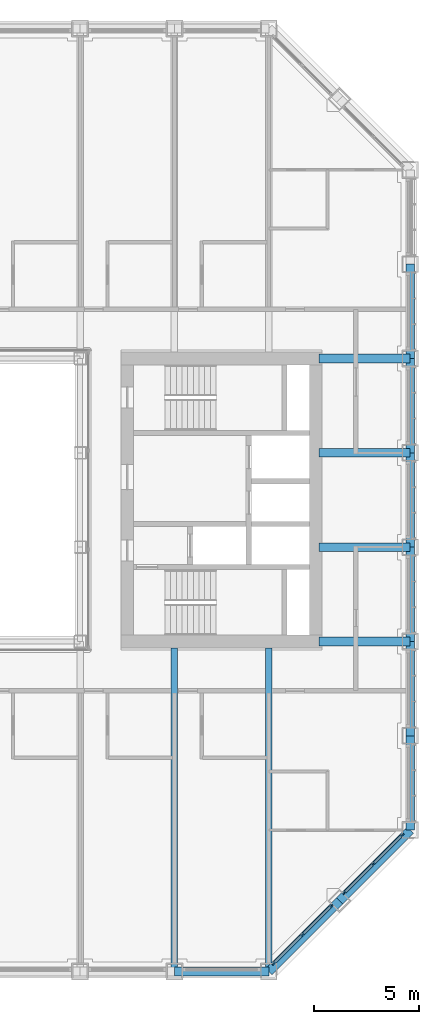
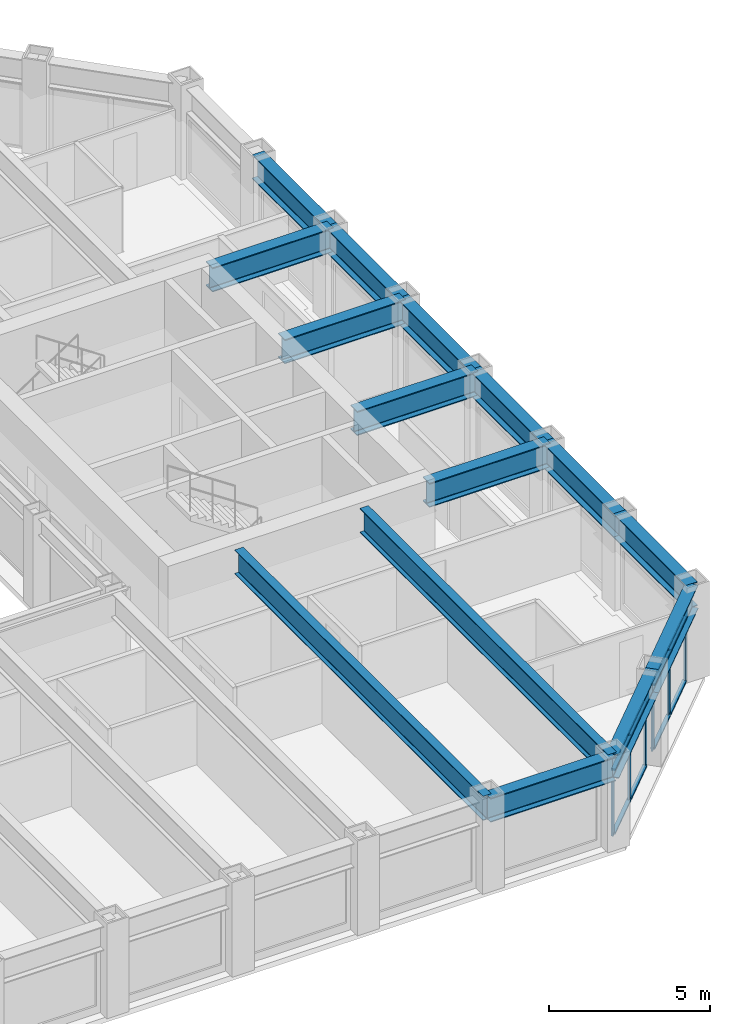
# One storey, part 6 of 18: 15 beams, 14 members, 2 elements without a shape of their own.
"""IFC4 building model written with IfcOpenShell, lengths in metres."""

import ifcopenshell
import ifcopenshell.guid

model = None  # the IFC model being written
_history = None  # IfcOwnerHistory: only IFC2X3 demands one
_inside = {}  # id of a spatial element -> (the spatial element, [elements in it])
_under = {}  # id of a project, library or spatial element -> (it, [spatial elements below it])
_declared = {}  # id of a project -> (the project, [libraries it declares])
_typed = {}  # id of a type object -> (the type object, [elements of that type])
_made_of = {}  # id of a material, layer set ... -> (it, [elements and type objects made of it])


def new_model(schema):
    """Start an empty IFC model of exactly this schema.

    Asked for "IFC4X3", IfcOpenShell would pick the latest addendum, in which some entities
    have other attributes; the version numbers below select the first issue.
    IFC2X3 requires an IfcOwnerHistory on every rooted entity: one is made here for all.
    """
    global model, _history
    if schema == "IFC4X3":
        model = ifcopenshell.file(schema_version=(4, 3, 0, 0))
    else:
        model = ifcopenshell.file(schema=schema)
    _inside.clear()
    _under.clear()
    _declared.clear()
    _typed.clear()
    _made_of.clear()
    _history = None
    if model.schema == "IFC2X3":
        org = make("IfcOrganization", Name="unknown")
        user = make(
            "IfcPersonAndOrganization",
            ThePerson=make("IfcPerson", FamilyName="unknown"),
            TheOrganization=org,
        )
        app = make(
            "IfcApplication",
            ApplicationDeveloper=org,
            Version="unknown",
            ApplicationFullName="unknown",
            ApplicationIdentifier="unknown",
        )
        _history = make(
            "IfcOwnerHistory",
            OwningUser=user,
            OwningApplication=app,
            ChangeAction="ADDED",
            CreationDate=0,
        )
    return model


def make(cls, **values):
    """One entity of the class cls with the attributes given. An attribute that is None is left unset."""
    return model.create_entity(
        cls, **{name: value for name, value in values.items() if value is not None}
    )


def rooted(cls, **values):
    """An entity with a GlobalId (a new one), such as an element, a storey or a relation."""
    return make(cls, GlobalId=ifcopenshell.guid.new(), OwnerHistory=_history, **values)


def si_unit(unit_type, name, prefix=None):
    """IfcSIUnit, for example si_unit("LENGTHUNIT", "METRE", prefix="MILLI")."""
    return make("IfcSIUnit", UnitType=unit_type, Prefix=prefix, Name=name)


def assignment(units):
    """IfcUnitAssignment: the units of a project."""
    return None if units is None else make("IfcUnitAssignment", Units=units)


def point(xyz):
    """IfcCartesianPoint."""
    return None if xyz is None else make("IfcCartesianPoint", Coordinates=xyz)


def direction(xyz):
    """IfcDirection."""
    return None if xyz is None else make("IfcDirection", DirectionRatios=xyz)


def frame(location, z_axis=None, x_axis=None):
    """IfcAxis2Placement3D, a coordinate frame: its origin and axes. An axis left out is left unset."""
    return make(
        "IfcAxis2Placement3D",
        Location=point(location),
        Axis=direction(z_axis),
        RefDirection=direction(x_axis),
    )


def frame_2d(location, x_axis=None):
    """IfcAxis2Placement2D, a coordinate frame in the plane: its origin and x axis."""
    return make(
        "IfcAxis2Placement2D", Location=point(location), RefDirection=direction(x_axis)
    )


def origin():
    """The frame at (0, 0, 0) with its axes left unset."""
    return frame((0.0, 0.0, 0.0))


def origin_2d():
    """The frame at (0, 0) in the plane with its x axis left unset."""
    return frame_2d((0.0, 0.0))


def place(relative_to, where):
    """IfcLocalPlacement: puts the frame where relative to a parent placement (None: the world)."""
    return make(
        "IfcLocalPlacement", PlacementRelTo=relative_to, RelativePlacement=where
    )


def context(
    kind, dimensions, precision=None, world=None, true_north=None, identifier=None
):
    """IfcGeometricRepresentationContext, for example the 3D "Model" context."""
    return make(
        "IfcGeometricRepresentationContext",
        ContextIdentifier=identifier,
        ContextType=kind,
        CoordinateSpaceDimension=dimensions,
        Precision=precision,
        WorldCoordinateSystem=world,
        TrueNorth=true_north,
    )


def subcontext(parent, identifier, kind, view, scale=None):
    """IfcGeometricRepresentationSubContext, for example "Body" below "Model"."""
    return make(
        "IfcGeometricRepresentationSubContext",
        ContextIdentifier=identifier,
        ContextType=kind,
        ParentContext=parent,
        TargetScale=scale,
        TargetView=view,
    )


def project(units=None, contexts=None):
    """IfcProject with its units and contexts."""
    return rooted(
        "IfcProject",
        Name="project",
        RepresentationContexts=contexts,
        UnitsInContext=assignment(units),
    )


def spatial(cls, under=None, at=None, **own):
    """A site, building, storey or space (cls), placed at a placement, below another one or the project."""
    s = rooted(cls, ObjectPlacement=at, **own)
    if under is not None:
        _under.setdefault(under.id(), (under, []))[1].append(s)
    return s


def profile(cls, at=None, kind="AREA", **sizes):
    """A parametric profile (cls). Its sizes go by their IFC names, for example OverallWidth=200.0."""
    return make(cls, ProfileType=kind, Position=at, **sizes)


def rectangle(**sizes):
    """IfcRectangleProfileDef."""
    return profile("IfcRectangleProfileDef", **sizes)


def i_section(**sizes):
    """IfcIShapeProfileDef."""
    return profile("IfcIShapeProfileDef", **sizes)


def extrude(swept, where, along, depth):
    """IfcExtrudedAreaSolid: the profile swept, set in the frame where, extruded along a direction by depth."""
    return make(
        "IfcExtrudedAreaSolid",
        SweptArea=swept,
        Position=where,
        ExtrudedDirection=direction(along),
        Depth=depth,
    )


def shape(context_of_items, identifier, shape_type, items):
    """IfcShapeRepresentation: the items that make up one representation, for example the "Body"."""
    return make(
        "IfcShapeRepresentation",
        ContextOfItems=context_of_items,
        RepresentationIdentifier=identifier,
        RepresentationType=shape_type,
        Items=items,
    )


def material(Name=None, Category=None):
    """IfcMaterial."""
    return make("IfcMaterial", Name=Name, Category=Category)


def material_profile(
    of_material, cross_section, Name=None, Category=None, Priority=None
):
    """IfcMaterialProfile: a cross section and its material."""
    return make(
        "IfcMaterialProfile",
        Name=Name,
        Material=of_material,
        Profile=cross_section,
        Priority=Priority,
        Category=Category,
    )


def profile_set(profiles, Name=None, composite=None):
    """IfcMaterialProfileSet."""
    return make(
        "IfcMaterialProfileSet",
        Name=Name,
        MaterialProfiles=profiles,
        CompositeProfile=composite,
    )


def made_of(thing, what):
    """Note that an element or type object is made of a material, layer set ...; save() writes the relation."""
    if what is not None:
        _made_of.setdefault(what.id(), (what, []))[1].append(thing)
    return thing


def type_object(cls, material=None, **own):
    """A type object (cls), such as IfcWallType, which elements share."""
    return made_of(rooted(cls, **own), material)


def element(
    cls,
    number,
    at=None,
    inside=None,
    cuts=None,
    type_object=None,
    material=None,
    context=None,
    identifier="Body",
    shape_type=None,
    held_by="IfcProductDefinitionShape",
    body=None,
    shapes=None,
    **own,
):
    """One element of the class cls, such as IfcWall. Its Tag is "e" and its number.

    at: its placement. inside: the storey or other place that contains it. cuts: it is an
    opening in that element (IfcRelVoidsElement). A single representation is given by context,
    identifier, shape_type and body (its items); several are given by shapes. held_by: the class
    of the entity that holds the representations. save() writes the other relations.
    """
    e = rooted(cls, Tag="e%d" % number, ObjectPlacement=at, **own)
    if body is not None:
        shapes = [shape(context, identifier, shape_type, body)]
    if shapes is not None:
        e.Representation = make(held_by, Representations=shapes)
    if inside is not None:
        _inside.setdefault(inside.id(), (inside, []))[1].append(e)
    if cuts is not None:
        rooted(
            "IfcRelVoidsElement", RelatingBuildingElement=cuts, RelatedOpeningElement=e
        )
    if type_object is not None:
        _typed.setdefault(type_object.id(), (type_object, []))[1].append(e)
    return made_of(e, material)


def aggregate(whole, parts):
    """IfcRelAggregates: a whole, such as a stair, and the parts it consists of."""
    return rooted("IfcRelAggregates", RelatingObject=whole, RelatedObjects=parts)


def save(model, path):
    """Write the relations noted so far, then the file.

    IfcRelAggregates (storeys below a building ...), IfcRelContainedInSpatialStructure (elements
    in a storey), IfcRelDefinesByType, IfcRelAssociatesMaterial and IfcRelDeclares: one each for
    every whole, place, type object, material and project.
    """
    for whole, parts in _under.values():
        aggregate(whole, parts)
    for where, things in _inside.values():
        rooted(
            "IfcRelContainedInSpatialStructure",
            RelatedElements=things,
            RelatingStructure=where,
        )
    for kind, things in _typed.values():
        rooted("IfcRelDefinesByType", RelatedObjects=things, RelatingType=kind)
    for what, things in _made_of.values():
        rooted("IfcRelAssociatesMaterial", RelatedObjects=things, RelatingMaterial=what)
    for by, libraries in _declared.values():
        rooted("IfcRelDeclares", RelatingContext=by, RelatedDefinitions=libraries)
    model.write(path)


model = new_model("IFC4")

# Units and contexts
model_context = context("Model", 3, precision=1e-05, world=origin(), true_north=direction((0.0, 1.0)))
body_context = subcontext(model_context, "Body", "Model", "MODEL_VIEW")
ifc_project = project(units=[si_unit("LENGTHUNIT", "METRE"), si_unit("AREAUNIT", "SQUARE_METRE"), si_unit("VOLUMEUNIT", "CUBIC_METRE"), si_unit("PLANEANGLEUNIT", "RADIAN"), si_unit("MASSUNIT", "GRAM", prefix="KILO")], contexts=[model_context])

# Site, building, storey
site_placement = place(None, origin())
site = spatial("IfcSite", under=ifc_project, at=site_placement, CompositionType="ELEMENT")
building_placement = place(site_placement, origin())
building = spatial("IfcBuilding", under=site, at=building_placement, Name="Msasa Ring Tower", CompositionType="ELEMENT")
storey_placement = place(building_placement, frame((0.0, 0.0, 122.0)))
storey = spatial("IfcBuildingStorey", under=building, at=storey_placement, Name="L31", CompositionType="ELEMENT", Elevation=122.0)

# Curtain wall, members
ifc_material_1 = material(Name="Aluminium curtain wall with clear glass", Category="aluminium")
curtain_wall_type = type_object("IfcCurtainWallType", Name="CW-C CHAMFER CORNER CURTAIN WALL", PredefinedType="NOTDEFINED", material=ifc_material_1)
curtain_wall_1_placement = place(storey_placement, origin())
curtain_wall_1 = element("IfcCurtainWall", 1, at=curtain_wall_1_placement, inside=storey, type_object=curtain_wall_type, Name="Chamfer corner curtain wall SE L31", PredefinedType="NOTDEFINED")
ifc_material_2 = material(Name="Aluminium mullion", Category="aluminium")
ifc_material_profile_1 = material_profile(ifc_material_2, rectangle(XDim=0.06494140625, YDim=0.179931640625, at=origin_2d()), Name="AL 65x180")
ifc_profile_set_1 = profile_set([ifc_material_profile_1], Name="Aluminium mullion")
member_type_1 = type_object("IfcMemberType", Name="CW-C MULLION 65x180", PredefinedType="MULLION", material=ifc_profile_set_1)
member_1_placement = place(storey_placement, frame((15.98876953125, -22.119873046875, 0.0), z_axis=(0.0, 0.0, 1.0), x_axis=(-0.707106781187, 0.707106781187, 0.0)))
member_1 = element("IfcMember", 2, at=member_1_placement, type_object=member_type_1, Name="CW-C mullion 1", PredefinedType="MULLION", context=body_context, shape_type="SweptSolid", body=[
    extrude(rectangle(XDim=0.06494140625, YDim=0.179931640625, at=origin_2d()), origin(), (0.0, 0.0, 1.0), 2.47900390625),
])
member_2_placement = place(storey_placement, frame((17.36669921875, -20.74169921875, 0.0), z_axis=(0.0, 0.0, 1.0), x_axis=(-0.707106781187, 0.707106781187, 0.0)))
member_2 = element("IfcMember", 3, at=member_2_placement, type_object=member_type_1, Name="CW-C mullion 2", PredefinedType="MULLION", context=body_context, shape_type="SweptSolid", body=[
    extrude(rectangle(XDim=0.06494140625, YDim=0.179931640625, at=origin_2d()), origin(), (0.0, 0.0, 1.0), 2.47900390625),
])
member_3_placement = place(storey_placement, frame((18.744873046875, -19.36376953125, 0.0), z_axis=(0.0, 0.0, 1.0), x_axis=(-0.707106781187, 0.707106781187, 0.0)))
member_3 = element("IfcMember", 4, at=member_3_placement, type_object=member_type_1, Name="CW-C mullion 3", PredefinedType="MULLION", context=body_context, shape_type="SweptSolid", body=[
    extrude(rectangle(XDim=0.06494140625, YDim=0.179931640625, at=origin_2d()), origin(), (0.0, 0.0, 1.0), 2.47900390625),
])

curtain_wall_2_placement = place(storey_placement, origin())
curtain_wall_2 = element("IfcCurtainWall", 5, at=curtain_wall_2_placement, inside=storey, type_object=curtain_wall_type, Name="Chamfer corner curtain wall SE L31", PredefinedType="NOTDEFINED")
member_4_placement = place(storey_placement, frame((19.36376953125, -18.744873046875, 0.0), z_axis=(0.0, 0.0, 1.0), x_axis=(-0.707106781187, 0.707106781187, 0.0)))
member_4 = element("IfcMember", 6, at=member_4_placement, type_object=member_type_1, Name="CW-C mullion 1", PredefinedType="MULLION", context=body_context, shape_type="SweptSolid", body=[
    extrude(rectangle(XDim=0.06494140625, YDim=0.179931640625, at=origin_2d()), origin(), (0.0, 0.0, 1.0), 2.47900390625),
])
member_5_placement = place(storey_placement, frame((20.74169921875, -17.36669921875, 0.0), z_axis=(0.0, 0.0, 1.0), x_axis=(-0.707106781187, 0.707106781187, 0.0)))
member_5 = element("IfcMember", 7, at=member_5_placement, type_object=member_type_1, Name="CW-C mullion 2", PredefinedType="MULLION", context=body_context, shape_type="SweptSolid", body=[
    extrude(rectangle(XDim=0.06494140625, YDim=0.179931640625, at=origin_2d()), origin(), (0.0, 0.0, 1.0), 2.47900390625),
])
member_6_placement = place(storey_placement, frame((22.119873046875, -15.98876953125, 0.0), z_axis=(0.0, 0.0, 1.0), x_axis=(-0.707106781187, 0.707106781187, 0.0)))
member_6 = element("IfcMember", 8, at=member_6_placement, type_object=member_type_1, Name="CW-C mullion 3", PredefinedType="MULLION", context=body_context, shape_type="SweptSolid", body=[
    extrude(rectangle(XDim=0.06494140625, YDim=0.179931640625, at=origin_2d()), origin(), (0.0, 0.0, 1.0), 2.47900390625),
])

# Member
ifc_material_3 = material(Name="Aluminium transom", Category="aluminium")
ifc_material_profile_2 = material_profile(ifc_material_3, rectangle(XDim=0.139892578125, YDim=0.06494140625, at=origin_2d()), Name="AL 65x140")
ifc_profile_set_2 = profile_set([ifc_material_profile_2], Name="Aluminium transom")
member_type_2 = type_object("IfcMemberType", Name="CW-C TRANSOM 65x140", PredefinedType="USERDEFINED", material=ifc_profile_set_2)
member_7_placement = place(storey_placement, frame((16.01171875, -22.096923828125, 0.032470703125), z_axis=(0.707106781187, 0.707106781187, 0.0), x_axis=(-0.707106781187, 0.707106781187, 0.0)))
member_7 = element("IfcMember", 9, at=member_7_placement, type_object=member_type_2, Name="CW-C transom 1.1", ObjectType="TRANSOM", PredefinedType="USERDEFINED", context=body_context, shape_type="SweptSolid", body=[
    extrude(rectangle(XDim=0.139892578125, YDim=0.06494140625, at=origin_2d()), origin(), (0.0, 0.0, 1.0), 1.8837890625),
])

member_8_placement = place(storey_placement, frame((16.01171875, -22.096923828125, 2.446533203125), z_axis=(0.707106781187, 0.707106781187, 0.0), x_axis=(-0.707106781187, 0.707106781187, 0.0)))
member_8 = element("IfcMember", 10, at=member_8_placement, type_object=member_type_2, Name="CW-C transom 1.2", ObjectType="TRANSOM", PredefinedType="USERDEFINED", context=body_context, shape_type="SweptSolid", body=[
    extrude(rectangle(XDim=0.139892578125, YDim=0.06494140625, at=origin_2d()), origin(), (0.0, 0.0, 1.0), 1.8837890625),
])

member_9_placement = place(storey_placement, frame((17.389892578125, -20.71875, 0.032470703125), z_axis=(0.707106781187, 0.707106781187, 0.0), x_axis=(-0.707106781187, 0.707106781187, 0.0)))
member_9 = element("IfcMember", 11, at=member_9_placement, type_object=member_type_2, Name="CW-C transom 2.1", ObjectType="TRANSOM", PredefinedType="USERDEFINED", context=body_context, shape_type="SweptSolid", body=[
    extrude(rectangle(XDim=0.139892578125, YDim=0.06494140625, at=origin_2d()), origin(), (0.0, 0.0, 1.0), 1.8837890625),
])

member_10_placement = place(storey_placement, frame((17.389892578125, -20.71875, 2.446533203125), z_axis=(0.707106781187, 0.707106781187, 0.0), x_axis=(-0.707106781187, 0.707106781187, 0.0)))
member_10 = element("IfcMember", 12, at=member_10_placement, type_object=member_type_2, Name="CW-C transom 2.2", ObjectType="TRANSOM", PredefinedType="USERDEFINED", context=body_context, shape_type="SweptSolid", body=[
    extrude(rectangle(XDim=0.139892578125, YDim=0.06494140625, at=origin_2d()), origin(), (0.0, 0.0, 1.0), 1.8837890625),
])

aggregate(curtain_wall_1, [member_1, member_2, member_3, member_7, member_8, member_9, member_10])

member_11_placement = place(storey_placement, frame((19.38671875, -18.721923828125, 0.032470703125), z_axis=(0.707106781187, 0.707106781187, 0.0), x_axis=(-0.707106781187, 0.707106781187, 0.0)))
member_11 = element("IfcMember", 13, at=member_11_placement, type_object=member_type_2, Name="CW-C transom 1.1", ObjectType="TRANSOM", PredefinedType="USERDEFINED", context=body_context, shape_type="SweptSolid", body=[
    extrude(rectangle(XDim=0.139892578125, YDim=0.06494140625, at=origin_2d()), origin(), (0.0, 0.0, 1.0), 1.8837890625),
])

member_12_placement = place(storey_placement, frame((19.38671875, -18.721923828125, 2.446533203125), z_axis=(0.707106781187, 0.707106781187, 0.0), x_axis=(-0.707106781187, 0.707106781187, 0.0)))
member_12 = element("IfcMember", 14, at=member_12_placement, type_object=member_type_2, Name="CW-C transom 1.2", ObjectType="TRANSOM", PredefinedType="USERDEFINED", context=body_context, shape_type="SweptSolid", body=[
    extrude(rectangle(XDim=0.139892578125, YDim=0.06494140625, at=origin_2d()), origin(), (0.0, 0.0, 1.0), 1.8837890625),
])

member_13_placement = place(storey_placement, frame((20.764892578125, -17.34375, 0.032470703125), z_axis=(0.707106781187, 0.707106781187, 0.0), x_axis=(-0.707106781187, 0.707106781187, 0.0)))
member_13 = element("IfcMember", 15, at=member_13_placement, type_object=member_type_2, Name="CW-C transom 2.1", ObjectType="TRANSOM", PredefinedType="USERDEFINED", context=body_context, shape_type="SweptSolid", body=[
    extrude(rectangle(XDim=0.139892578125, YDim=0.06494140625, at=origin_2d()), origin(), (0.0, 0.0, 1.0), 1.8837890625),
])

member_14_placement = place(storey_placement, frame((20.764892578125, -17.34375, 2.446533203125), z_axis=(0.707106781187, 0.707106781187, 0.0), x_axis=(-0.707106781187, 0.707106781187, 0.0)))
member_14 = element("IfcMember", 16, at=member_14_placement, type_object=member_type_2, Name="CW-C transom 2.2", ObjectType="TRANSOM", PredefinedType="USERDEFINED", context=body_context, shape_type="SweptSolid", body=[
    extrude(rectangle(XDim=0.139892578125, YDim=0.06494140625, at=origin_2d()), origin(), (0.0, 0.0, 1.0), 1.8837890625),
])

aggregate(curtain_wall_2, [member_4, member_5, member_6, member_11, member_12, member_13, member_14])

# Beams
ifc_material_4 = material(Name="Steel S355", Category="steel")
ifc_material_profile_3 = material_profile(ifc_material_4, i_section(OverallWidth=0.42041015625, OverallDepth=0.9208984375, WebThickness=0.021484375, FlangeThickness=0.03662109375, FilletRadius=0.024169921875, at=origin_2d()), Name="UB 914x419x388")
ifc_profile_set_3 = profile_set([ifc_material_profile_3], Name="Steel S355")
beam_type_1 = type_object("IfcBeamType", Name="FB2 UB 914x419x388", PredefinedType="BEAM", material=ifc_profile_set_3)
for number, where, z_axis, x_axis, name in (
    (17, (22.5, -2.25, 2.939453125), (-1.0, 0.0, 0.0), (0.0, -1.0, 0.0), "Floor beam E -2.25 under L32"),
    (18, (22.5, 2.25, 2.939453125), (-1.0, 0.0, 0.0), (0.0, -1.0, 0.0), "Floor beam E +2.25 under L32"),
):
    element("IfcBeam", number, at=place(storey_placement, frame(where, z_axis=z_axis, x_axis=x_axis)), inside=storey, type_object=beam_type_1, Name=name, PredefinedType="BEAM", context=body_context, shape_type="SweptSolid", body=[
        extrude(i_section(OverallWidth=0.42041015625, OverallDepth=0.9208984375, WebThickness=0.021484375, FlangeThickness=0.03662109375, FilletRadius=0.024169921875, at=origin_2d()), origin(), (0.0, 0.0, 1.0), 4.35009765625),
    ])
ifc_material_5 = material(Name="Steel S355", Category="steel")
ifc_material_profile_4 = material_profile(ifc_material_5, i_section(OverallWidth=0.3076171875, OverallDepth=0.926513671875, WebThickness=0.01953125, FlangeThickness=0.031982421875, FilletRadius=0.01904296875, at=origin_2d()), Name="UB 914x305x289")
ifc_profile_set_4 = profile_set([ifc_material_profile_4], Name="Steel S355")
beam_type_2 = type_object("IfcBeamType", Name="FB3 UB 914x305x289", PredefinedType="BEAM", material=ifc_profile_set_4)
for number, where, z_axis, x_axis, name in (
    (19, (11.25, -22.5, 2.936767578125), (0.0, 1.0, 0.0), (-1.0, 0.0, 0.0), "Floor beam S+11.25 under L32"),
    (20, (15.75, -22.5, 2.936767578125), (0.0, 1.0, 0.0), (-1.0, 0.0, 0.0), "Floor beam S+15.75 under L32"),
):
    element("IfcBeam", number, at=place(storey_placement, frame(where, z_axis=z_axis, x_axis=x_axis)), inside=storey, type_object=beam_type_2, Name=name, PredefinedType="BEAM", context=body_context, shape_type="SweptSolid", body=[
        extrude(i_section(OverallWidth=0.3076171875, OverallDepth=0.926513671875, WebThickness=0.01953125, FlangeThickness=0.031982421875, FilletRadius=0.01904296875, at=origin_2d()), origin(), (0.0, 0.0, 1.0), 15.449951171875),
    ])
ifc_material_6 = material(Name="Steel S355", Category="steel")
ifc_material_profile_5 = material_profile(ifc_material_6, i_section(OverallWidth=0.42041015625, OverallDepth=0.9208984375, WebThickness=0.021484375, FlangeThickness=0.03662109375, FilletRadius=0.024169921875, at=origin_2d()), Name="UB 914x419x388")
ifc_profile_set_5 = profile_set([ifc_material_profile_5], Name="Steel S355")
beam_type_3 = type_object("IfcBeamType", Name="GB1 UB 914x419x388", PredefinedType="BEAM", material=ifc_profile_set_5)
for number, where, z_axis, x_axis, name in (
    (21, (18.14990234375, 6.75, 2.939453125), (1.0, 0.0, 0.0), (0.0, 1.0, 0.0), "Girder E +6.75 under L32"),
    (22, (18.14990234375, -6.75, 2.939453125), (1.0, 0.0, 0.0), (0.0, 1.0, 0.0), "Girder E -6.75 under L32"),
):
    element("IfcBeam", number, at=place(storey_placement, frame(where, z_axis=z_axis, x_axis=x_axis)), inside=storey, type_object=beam_type_3, Name=name, PredefinedType="BEAM", context=body_context, shape_type="SweptSolid", body=[
        extrude(i_section(OverallWidth=0.42041015625, OverallDepth=0.9208984375, WebThickness=0.021484375, FlangeThickness=0.03662109375, FilletRadius=0.024169921875, at=origin_2d()), origin(), (0.0, 0.0, 1.0), 4.35009765625),
    ])
ifc_material_7 = material(Name="Steel S355", Category="steel")
ifc_material_profile_6 = material_profile(ifc_material_7, i_section(OverallWidth=0.42041015625, OverallDepth=0.9208984375, WebThickness=0.021484375, FlangeThickness=0.03662109375, FilletRadius=0.024169921875, at=origin_2d()), Name="UB 914x419x388")
ifc_profile_set_6 = profile_set([ifc_material_profile_6], Name="Steel S355")
beam_type_4 = type_object("IfcBeamType", Name="SB1 UB 914x419x388", PredefinedType="SPANDREL", material=ifc_profile_set_6)
beam_placement = place(storey_placement, frame((11.25, -22.5, 2.939453125), z_axis=(1.0, 0.0, 0.0), x_axis=(0.0, 1.0, 0.0)))
element("IfcBeam", 23, at=beam_placement, inside=storey, type_object=beam_type_4, Name="Spandrel S+11.25 to S+15.75 under L32", PredefinedType="SPANDREL", context=body_context, shape_type="SweptSolid", body=[
    extrude(i_section(OverallWidth=0.42041015625, OverallDepth=0.9208984375, WebThickness=0.021484375, FlangeThickness=0.03662109375, FilletRadius=0.024169921875, at=origin_2d()), origin(), (0.0, 0.0, 1.0), 4.5),
])
for number, where, z_axis, x_axis, name in (
    (24, (15.75, -22.5, 2.939453125), (0.707106781187, 0.707106781187, 0.0), (-0.707106781187, 0.707106781187, 0.0), "Spandrel S+15.75 to SE under L32"),
    (25, (19.125, -19.125, 2.939453125), (0.707106781187, 0.707106781187, 0.0), (-0.707106781187, 0.707106781187, 0.0), "Spandrel SE to E-15.75 under L32"),
):
    element("IfcBeam", number, at=place(storey_placement, frame(where, z_axis=z_axis, x_axis=x_axis)), inside=storey, type_object=beam_type_4, Name=name, PredefinedType="SPANDREL", context=body_context, shape_type="SweptSolid", body=[
        extrude(i_section(OverallWidth=0.42041015625, OverallDepth=0.9208984375, WebThickness=0.021484375, FlangeThickness=0.03662109375, FilletRadius=0.024169921875, at=origin_2d()), origin(), (0.0, 0.0, 1.0), 4.77294921875),
    ])
for number, where, z_axis, x_axis, name in (
    (26, (22.5, -15.75, 2.939453125), (0.0, 1.0, 0.0), (-1.0, 0.0, 0.0), "Spandrel E-15.75 to E-11.25 under L32"),
    (27, (22.5, -11.25, 2.939453125), (0.0, 1.0, 0.0), (-1.0, 0.0, 0.0), "Spandrel E-11.25 to E-6.75 under L32"),
    (28, (22.5, -6.75, 2.939453125), (0.0, 1.0, 0.0), (-1.0, 0.0, 0.0), "Spandrel E-6.75 to E-2.25 under L32"),
    (29, (22.5, -2.25, 2.939453125), (0.0, 1.0, 0.0), (-1.0, 0.0, 0.0), "Spandrel E-2.25 to E+2.25 under L32"),
    (30, (22.5, 2.25, 2.939453125), (0.0, 1.0, 0.0), (-1.0, 0.0, 0.0), "Spandrel E+2.25 to E+6.75 under L32"),
    (31, (22.5, 6.75, 2.939453125), (0.0, 1.0, 0.0), (-1.0, 0.0, 0.0), "Spandrel E+6.75 to E+11.25 under L32"),
):
    element("IfcBeam", number, at=place(storey_placement, frame(where, z_axis=z_axis, x_axis=x_axis)), inside=storey, type_object=beam_type_4, Name=name, PredefinedType="SPANDREL", context=body_context, shape_type="SweptSolid", body=[
        extrude(i_section(OverallWidth=0.42041015625, OverallDepth=0.9208984375, WebThickness=0.021484375, FlangeThickness=0.03662109375, FilletRadius=0.024169921875, at=origin_2d()), origin(), (0.0, 0.0, 1.0), 4.5),
    ])

save(model, "model.ifc")
